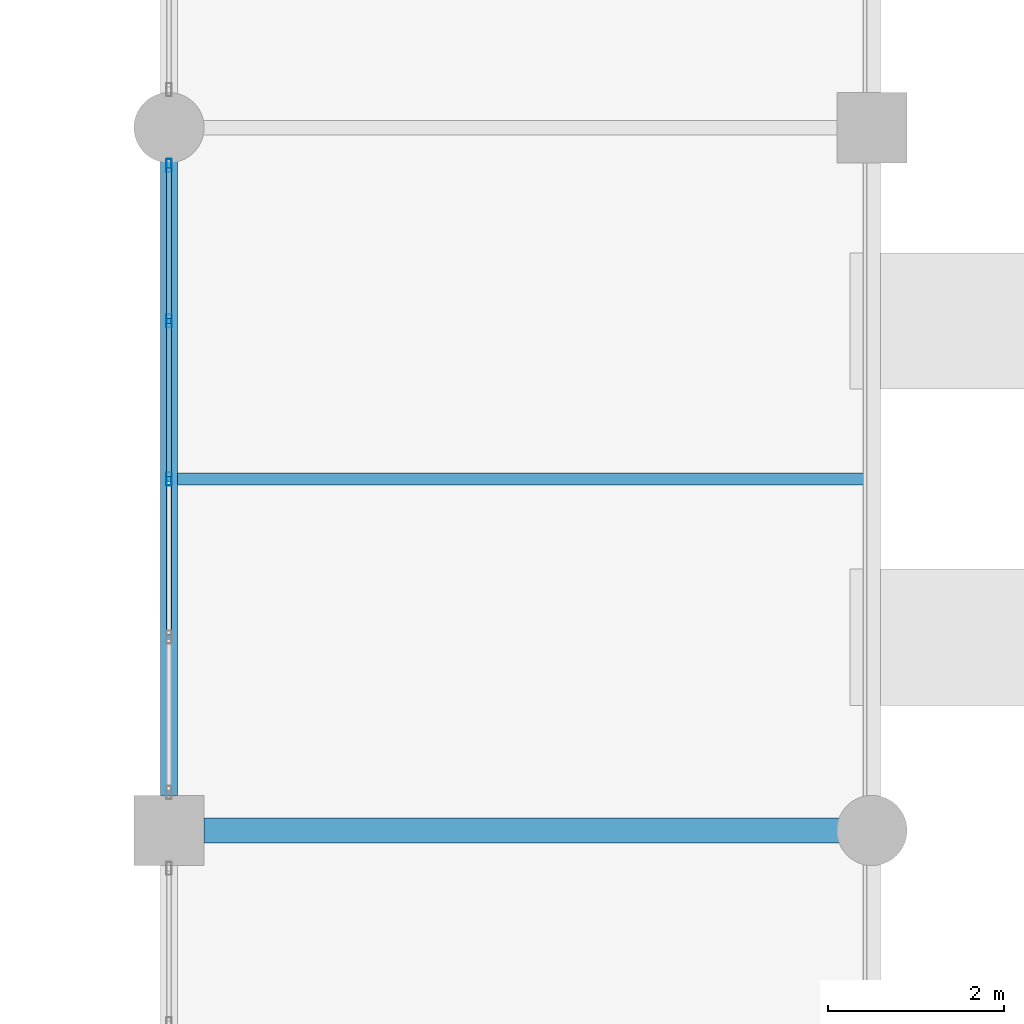
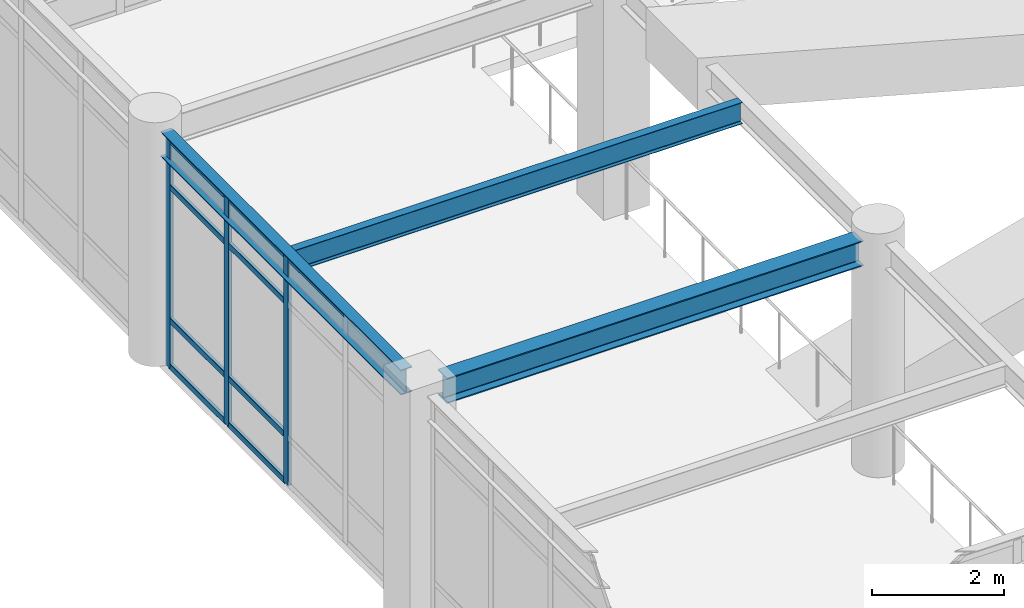
# One storey, part 19 of 75: 12 members, 3 beams, 1 element without a shape of its own.
"""IFC4 building model written with IfcOpenShell, lengths in metres."""

from ifc_helpers import new_model, si_unit, direction, frame, origin, origin_2d, place, context, subcontext, project, spatial, hollow_rectangle, i_section, extrude, material, material_profile, profile_set, type_object, element, aggregate, save


model = new_model("IFC4")

# Units and contexts
model_context = context("Model", 3, precision=1e-05, world=origin(), true_north=direction((0.0, 1.0)))
body_context = subcontext(model_context, "Body", "Model", "MODEL_VIEW")
ifc_project = project(units=[si_unit("LENGTHUNIT", "METRE"), si_unit("AREAUNIT", "SQUARE_METRE"), si_unit("VOLUMEUNIT", "CUBIC_METRE"), si_unit("PLANEANGLEUNIT", "RADIAN"), si_unit("MASSUNIT", "GRAM", prefix="KILO")], contexts=[model_context])

# Site, building, storey
site_placement = place(None, origin())
site = spatial("IfcSite", under=ifc_project, at=site_placement, CompositionType="ELEMENT")
building_placement = place(site_placement, origin())
building = spatial("IfcBuilding", under=site, at=building_placement, Name="Solmirada Galleria", CompositionType="ELEMENT")
storey_placement = place(building_placement, frame((0.0, 0.0, 19.39990234375)))
storey = spatial("IfcBuildingStorey", under=building, at=storey_placement, Name="L04", CompositionType="ELEMENT", Elevation=19.39990234375)

# Beams
ifc_material_1 = material(Name="Steel S355 / ASTM A992 Grade 50", Category="steel")
ifc_material_profile_1 = material_profile(ifc_material_1, i_section(OverallWidth=0.281982421875, OverallDepth=0.467041015625, WebThickness=0.01220703125, FlangeThickness=0.01953125, FilletRadius=0.013916015625, at=origin_2d()), Name="W18X86")
ifc_profile_set_1 = profile_set([ifc_material_profile_1], Name="Steel S355 / ASTM A992 Grade 50")
beam_type_1 = type_object("IfcBeamType", Name="BM-GIRD-W18A", PredefinedType="BEAM", material=ifc_profile_set_1)
beam_1_placement = place(storey_placement, frame((80.39990234375, 56.0, 4.066650390625), z_axis=(1.0, 0.0, 0.0), x_axis=(0.0, 1.0, 0.0)))
element("IfcBeam", 1, at=beam_1_placement, inside=storey, type_object=beam_type_1, Name="Primary beam L05 X(80..88, 56)", PredefinedType="BEAM", context=body_context, shape_type="SweptSolid", body=[
    extrude(i_section(OverallWidth=0.281982421875, OverallDepth=0.467041015625, WebThickness=0.01220703125, FlangeThickness=0.01953125, FilletRadius=0.013916015625, at=origin_2d()), origin(), (0.0, 0.0, 1.0), 7.26416015625),
])
ifc_material_profile_2 = material_profile(ifc_material_1, i_section(OverallWidth=0.193115234375, OverallDepth=0.466064453125, WebThickness=0.011474609375, FlangeThickness=0.01904296875, FilletRadius=0.013916015625, at=origin_2d()), Name="W18X65")
ifc_profile_set_2 = profile_set([ifc_material_profile_2], Name="Steel S355 / ASTM A992 Grade 50")
beam_type_2 = type_object("IfcBeamType", Name="BM-GIRD-W18C", PredefinedType="BEAM", material=ifc_profile_set_2)
beam_2_placement = place(storey_placement, frame((80.0, 56.39990234375, 4.067138671875), z_axis=(0.0, 1.0, 0.0), x_axis=(-1.0, 0.0, 0.0)))
element("IfcBeam", 2, at=beam_2_placement, inside=storey, type_object=beam_type_2, Name="Primary girder L05 Y(80, 56..64)", PredefinedType="BEAM", context=body_context, shape_type="SweptSolid", body=[
    extrude(i_section(OverallWidth=0.193115234375, OverallDepth=0.466064453125, WebThickness=0.011474609375, FlangeThickness=0.01904296875, FilletRadius=0.013916015625, at=origin_2d()), origin(), (0.0, 0.0, 1.0), 7.26416015625),
])
ifc_material_profile_3 = material_profile(ifc_material_1, i_section(OverallWidth=0.139892578125, OverallDepth=0.39892578125, WebThickness=0.00634765625, FlangeThickness=0.0087890625, FilletRadius=0.010986328125, at=origin_2d()), Name="W16X26")
ifc_profile_set_3 = profile_set([ifc_material_profile_3], Name="Steel S355 / ASTM A992 Grade 50")
beam_type_3 = type_object("IfcBeamType", Name="BM-JST-W16C", PredefinedType="JOIST", material=ifc_profile_set_3)
beam_3_placement = place(storey_placement, frame((80.096435546875, 60.0, 4.1005859375), z_axis=(1.0, 0.0, 0.0), x_axis=(0.0, 1.0, 0.0)))
element("IfcBeam", 3, at=beam_3_placement, inside=storey, type_object=beam_type_3, Name="Composite floor joist L05 (80..88, 60.0)", PredefinedType="JOIST", context=body_context, shape_type="SweptSolid", body=[
    extrude(i_section(OverallWidth=0.139892578125, OverallDepth=0.39892578125, WebThickness=0.00634765625, FlangeThickness=0.0087890625, FilletRadius=0.010986328125, at=origin_2d()), origin(), (0.0, 0.0, 1.0), 7.80712890625),
])

# Curtain wall, members
ifc_material_2 = material(Name="Impact-resistant low-E double glazing", Category="glass")
curtain_wall_type = type_object("IfcCurtainWallType", Name="CW-FZ3-L04-B4-L072", PredefinedType="NOTDEFINED", material=ifc_material_2)
curtain_wall_placement = place(storey_placement, origin())
curtain_wall = element("IfcCurtainWall", 4, at=curtain_wall_placement, inside=storey, type_object=curtain_wall_type, Name="Terrace and arcade storefront CW-L04-143", PredefinedType="NOTDEFINED")
ifc_material_3 = material(Name="Anodised aluminium framing", Category="aluminium")
ifc_material_profile_4 = material_profile(ifc_material_3, hollow_rectangle(XDim=0.06005859375, YDim=0.14990234375, WallThickness=0.00341796875, InnerFilletRadius=0.00341796875, OuterFilletRadius=0.007080078125, at=origin_2d()), Name="ALU-MULL-150X60")
ifc_profile_set_4 = profile_set([ifc_material_profile_4], Name="Anodised aluminium framing")
member_type_1 = type_object("IfcMemberType", Name="CW-MULL-150", PredefinedType="MULLION", material=ifc_profile_set_4)
member_1_placement = place(storey_placement, frame((80.0, 60.0, 0.0), z_axis=(0.0, 0.0, 1.0), x_axis=(-1.0, 0.0, 0.0)))
member_1 = element("IfcMember", 5, at=member_1_placement, type_object=member_type_1, Name="CW30 mullion 3", PredefinedType="MULLION", context=body_context, shape_type="SweptSolid", body=[
    extrude(hollow_rectangle(XDim=0.06005859375, YDim=0.14990234375, WallThickness=0.00341796875, InnerFilletRadius=0.00341796875, OuterFilletRadius=0.007080078125, at=origin_2d()), origin(), (0.0, 0.0, 1.0), 4.22021484375),
])
member_2_placement = place(storey_placement, frame((80.0, 61.799072265625, 0.0), z_axis=(0.0, 0.0, 1.0), x_axis=(-1.0, 0.0, 0.0)))
member_2 = element("IfcMember", 6, at=member_2_placement, type_object=member_type_1, Name="CW30 mullion 4", PredefinedType="MULLION", context=body_context, shape_type="SweptSolid", body=[
    extrude(hollow_rectangle(XDim=0.06005859375, YDim=0.14990234375, WallThickness=0.00341796875, InnerFilletRadius=0.00341796875, OuterFilletRadius=0.007080078125, at=origin_2d()), origin(), (0.0, 0.0, 1.0), 4.22021484375),
])
member_3_placement = place(storey_placement, frame((80.0, 63.568115234375, 0.0), z_axis=(0.0, 0.0, 1.0), x_axis=(-1.0, 0.0, 0.0)))
member_3 = element("IfcMember", 7, at=member_3_placement, type_object=member_type_1, Name="CW30 mullion 5", PredefinedType="MULLION", context=body_context, shape_type="SweptSolid", body=[
    extrude(hollow_rectangle(XDim=0.06005859375, YDim=0.14990234375, WallThickness=0.00341796875, InnerFilletRadius=0.00341796875, OuterFilletRadius=0.007080078125, at=origin_2d()), origin(), (0.0, 0.0, 1.0), 4.22021484375),
])
ifc_material_profile_5 = material_profile(ifc_material_3, hollow_rectangle(XDim=0.06005859375, YDim=0.110107421875, WallThickness=0.003173828125, InnerFilletRadius=0.003173828125, OuterFilletRadius=0.00634765625, at=origin_2d()), Name="ALU-TRAN-110X60")
ifc_profile_set_5 = profile_set([ifc_material_profile_5], Name="Anodised aluminium framing")
member_type_2 = type_object("IfcMemberType", Name="CW-TRAN-110", PredefinedType="USERDEFINED", material=ifc_profile_set_5)
member_4_placement = place(storey_placement, frame((80.0, 58.23095703125, 4.190185546875), z_axis=(0.0, 1.0, 0.0), x_axis=(-1.0, 0.0, 0.0)))
member_4 = element("IfcMember", 8, at=member_4_placement, type_object=member_type_2, Name="CW30 transom 2.4", ObjectType="TRANSOM", PredefinedType="USERDEFINED", context=body_context, shape_type="SweptSolid", body=[
    extrude(hollow_rectangle(XDim=0.06005859375, YDim=0.110107421875, WallThickness=0.003173828125, InnerFilletRadius=0.003173828125, OuterFilletRadius=0.00634765625, at=origin_2d()), origin(), (0.0, 0.0, 1.0), 1.739013671875),
])
member_5_placement = place(storey_placement, frame((80.0, 60.030029296875, 0.030029296875), z_axis=(0.0, 1.0, 0.0), x_axis=(-1.0, 0.0, 0.0)))
member_5 = element("IfcMember", 9, at=member_5_placement, type_object=member_type_2, Name="CW30 transom 3.1", ObjectType="TRANSOM", PredefinedType="USERDEFINED", context=body_context, shape_type="SweptSolid", body=[
    extrude(hollow_rectangle(XDim=0.06005859375, YDim=0.110107421875, WallThickness=0.003173828125, InnerFilletRadius=0.003173828125, OuterFilletRadius=0.00634765625, at=origin_2d()), origin(), (0.0, 0.0, 1.0), 1.739013671875),
])
member_6_placement = place(storey_placement, frame((80.0, 60.030029296875, 0.880126953125), z_axis=(0.0, 1.0, 0.0), x_axis=(-1.0, 0.0, 0.0)))
member_6 = element("IfcMember", 10, at=member_6_placement, type_object=member_type_2, Name="CW30 transom 3.2", ObjectType="TRANSOM", PredefinedType="USERDEFINED", context=body_context, shape_type="SweptSolid", body=[
    extrude(hollow_rectangle(XDim=0.06005859375, YDim=0.110107421875, WallThickness=0.003173828125, InnerFilletRadius=0.003173828125, OuterFilletRadius=0.00634765625, at=origin_2d()), origin(), (0.0, 0.0, 1.0), 1.739013671875),
])
member_7_placement = place(storey_placement, frame((80.0, 60.030029296875, 3.340087890625), z_axis=(0.0, 1.0, 0.0), x_axis=(-1.0, 0.0, 0.0)))
member_7 = element("IfcMember", 11, at=member_7_placement, type_object=member_type_2, Name="CW30 transom 3.3", ObjectType="TRANSOM", PredefinedType="USERDEFINED", context=body_context, shape_type="SweptSolid", body=[
    extrude(hollow_rectangle(XDim=0.06005859375, YDim=0.110107421875, WallThickness=0.003173828125, InnerFilletRadius=0.003173828125, OuterFilletRadius=0.00634765625, at=origin_2d()), origin(), (0.0, 0.0, 1.0), 1.739013671875),
])
member_8_placement = place(storey_placement, frame((80.0, 60.030029296875, 4.190185546875), z_axis=(0.0, 1.0, 0.0), x_axis=(-1.0, 0.0, 0.0)))
member_8 = element("IfcMember", 12, at=member_8_placement, type_object=member_type_2, Name="CW30 transom 3.4", ObjectType="TRANSOM", PredefinedType="USERDEFINED", context=body_context, shape_type="SweptSolid", body=[
    extrude(hollow_rectangle(XDim=0.06005859375, YDim=0.110107421875, WallThickness=0.003173828125, InnerFilletRadius=0.003173828125, OuterFilletRadius=0.00634765625, at=origin_2d()), origin(), (0.0, 0.0, 1.0), 1.739013671875),
])
member_9_placement = place(storey_placement, frame((80.0, 61.8291015625, 0.030029296875), z_axis=(0.0, 1.0, 0.0), x_axis=(-1.0, 0.0, 0.0)))
member_9 = element("IfcMember", 13, at=member_9_placement, type_object=member_type_2, Name="CW30 transom 4.1", ObjectType="TRANSOM", PredefinedType="USERDEFINED", context=body_context, shape_type="SweptSolid", body=[
    extrude(hollow_rectangle(XDim=0.06005859375, YDim=0.110107421875, WallThickness=0.003173828125, InnerFilletRadius=0.003173828125, OuterFilletRadius=0.00634765625, at=origin_2d()), origin(), (0.0, 0.0, 1.0), 1.708984375),
])
member_10_placement = place(storey_placement, frame((80.0, 61.8291015625, 0.880126953125), z_axis=(0.0, 1.0, 0.0), x_axis=(-1.0, 0.0, 0.0)))
member_10 = element("IfcMember", 14, at=member_10_placement, type_object=member_type_2, Name="CW30 transom 4.2", ObjectType="TRANSOM", PredefinedType="USERDEFINED", context=body_context, shape_type="SweptSolid", body=[
    extrude(hollow_rectangle(XDim=0.06005859375, YDim=0.110107421875, WallThickness=0.003173828125, InnerFilletRadius=0.003173828125, OuterFilletRadius=0.00634765625, at=origin_2d()), origin(), (0.0, 0.0, 1.0), 1.708984375),
])
member_11_placement = place(storey_placement, frame((80.0, 61.8291015625, 3.340087890625), z_axis=(0.0, 1.0, 0.0), x_axis=(-1.0, 0.0, 0.0)))
member_11 = element("IfcMember", 15, at=member_11_placement, type_object=member_type_2, Name="CW30 transom 4.3", ObjectType="TRANSOM", PredefinedType="USERDEFINED", context=body_context, shape_type="SweptSolid", body=[
    extrude(hollow_rectangle(XDim=0.06005859375, YDim=0.110107421875, WallThickness=0.003173828125, InnerFilletRadius=0.003173828125, OuterFilletRadius=0.00634765625, at=origin_2d()), origin(), (0.0, 0.0, 1.0), 1.708984375),
])
member_12_placement = place(storey_placement, frame((80.0, 61.8291015625, 4.190185546875), z_axis=(0.0, 1.0, 0.0), x_axis=(-1.0, 0.0, 0.0)))
member_12 = element("IfcMember", 16, at=member_12_placement, type_object=member_type_2, Name="CW30 transom 4.4", ObjectType="TRANSOM", PredefinedType="USERDEFINED", context=body_context, shape_type="SweptSolid", body=[
    extrude(hollow_rectangle(XDim=0.06005859375, YDim=0.110107421875, WallThickness=0.003173828125, InnerFilletRadius=0.003173828125, OuterFilletRadius=0.00634765625, at=origin_2d()), origin(), (0.0, 0.0, 1.0), 1.708984375),
])
aggregate(curtain_wall, [member_1, member_2, member_3, member_4, member_5, member_6, member_7, member_8, member_9, member_10, member_11, member_12])

save(model, "model.ifc")
